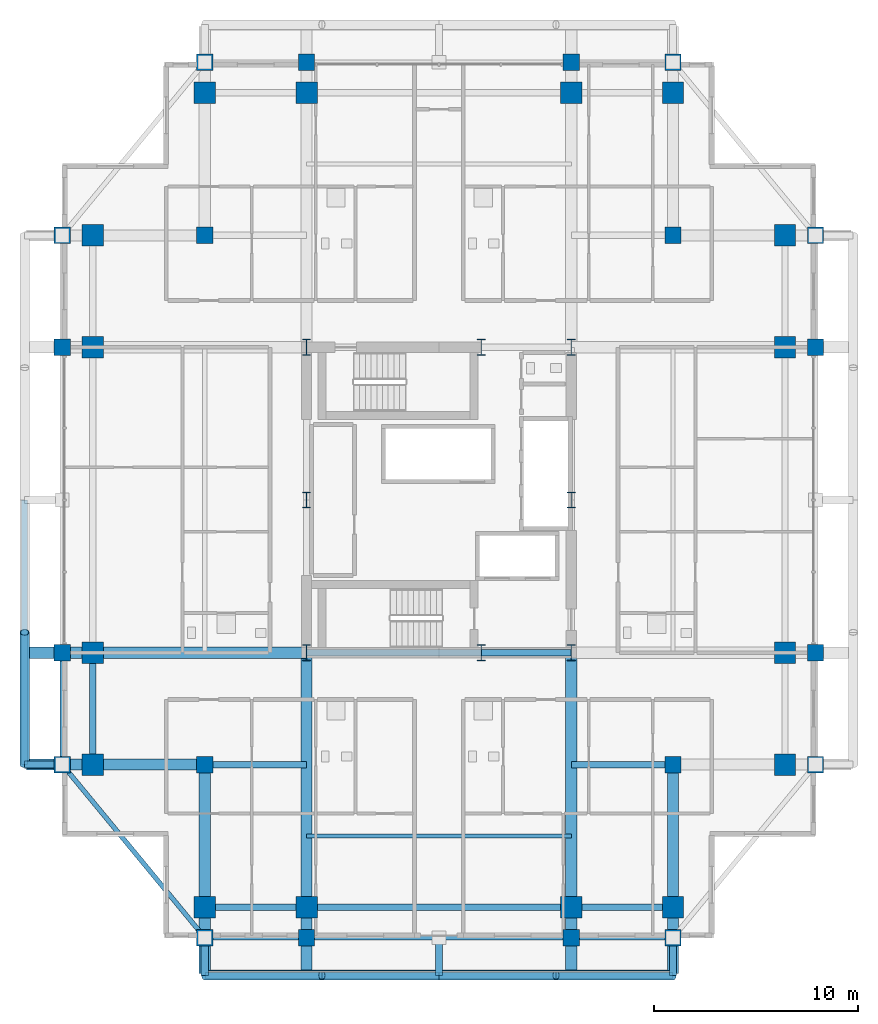
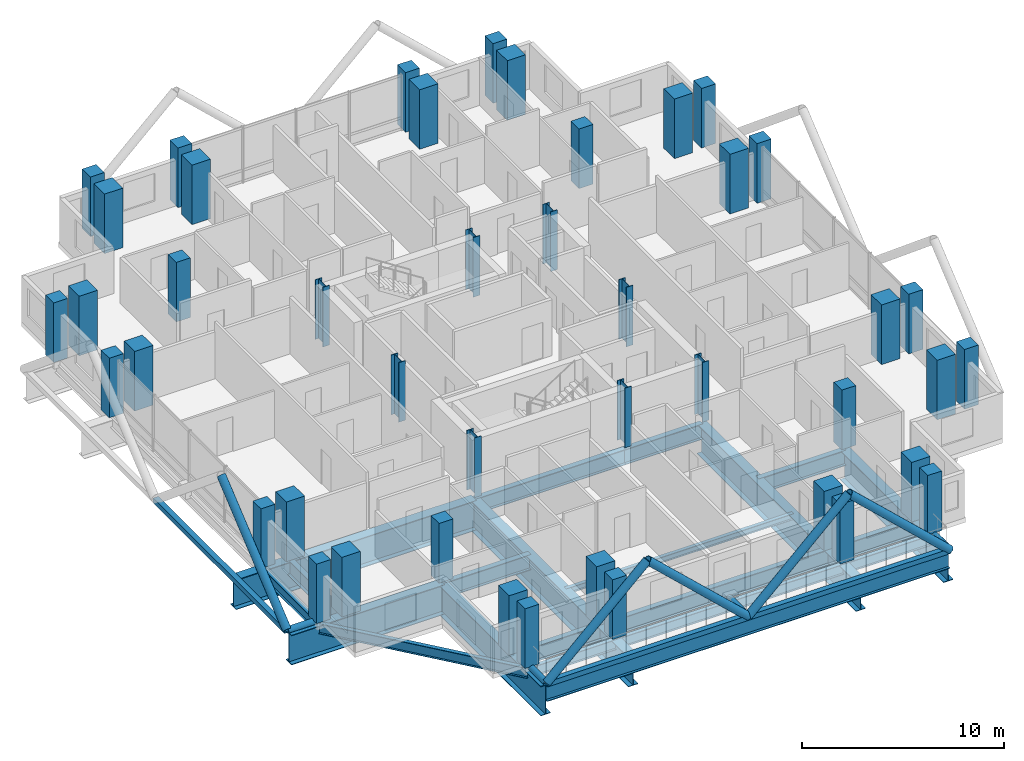
# One storey, part 1 of 23: 44 columns, 21 beams, 12 members.
"""IFC4 building model written with IfcOpenShell, lengths in metres."""

from ifc_helpers import new_model, si_unit, direction, frame, origin, origin_2d, place, context, subcontext, project, spatial, rectangle, hollow_rectangle, hollow_circle, i_section, extrude, material, material_profile, profile_set, type_object, element, save


model = new_model("IFC4")

# Units and contexts
model_context = context("Model", 3, precision=1e-05, world=origin(), true_north=direction((0.0, 1.0)))
body_context = subcontext(model_context, "Body", "Model", "MODEL_VIEW")
ifc_project = project(units=[si_unit("LENGTHUNIT", "METRE"), si_unit("AREAUNIT", "SQUARE_METRE"), si_unit("VOLUMEUNIT", "CUBIC_METRE"), si_unit("PLANEANGLEUNIT", "RADIAN"), si_unit("MASSUNIT", "GRAM", prefix="KILO")], contexts=[model_context])

# Site, building, storey
site_placement = place(None, origin())
site = spatial("IfcSite", under=ifc_project, at=site_placement, CompositionType="ELEMENT")
building_placement = place(site_placement, origin())
building = spatial("IfcBuilding", under=site, at=building_placement, Name="Barlavira Tower and Art Museum", CompositionType="ELEMENT")
storey_placement = place(building_placement, frame((0.0, 0.0, 165.60009765625)))
storey = spatial("IfcBuildingStorey", under=building, at=storey_placement, Name="L42", CompositionType="ELEMENT", Elevation=165.60009765625)

# Columns
ifc_material_1 = material(Name="Steel S355", Category="steel")
ifc_material_profile_1 = material_profile(ifc_material_1, i_section(OverallWidth=0.382080078125, OverallDepth=0.785888671875, WebThickness=0.02001953125, FlangeThickness=0.032958984375, at=origin_2d()), Name="W760x314.0")
ifc_profile_set_1 = profile_set([ifc_material_profile_1], Name="Steel S355")
column_type_1 = type_object("IfcColumnType", Name="Core Composite Column W760x314 Steel S355", PredefinedType="COLUMN", material=ifc_profile_set_1)
for number, where, z_axis, x_axis, name in (
    (1, (-6.5, -7.5, 0.0), (0.0, 0.0, 1.0), (1.0, 0.0, 0.0), "L42 Column CC-L42-C1"),
    (2, (2.080078125, -7.5, 0.0), (0.0, 0.0, 1.0), (1.0, 0.0, 0.0), "L42 Column CC-L42-C2"),
    (3, (6.5, -7.5, 0.0), (0.0, 0.0, 1.0), (1.0, 0.0, 0.0), "L42 Column CC-L42-C3"),
    (4, (-6.5, 0.0, 0.0), (0.0, 0.0, 1.0), (1.0, 0.0, 0.0), "L42 Column CC-L42-C4"),
    (5, (6.5, 0.0, 0.0), (0.0, 0.0, 1.0), (1.0, 0.0, 0.0), "L42 Column CC-L42-C5"),
    (6, (-6.5, 7.5, 0.0), (0.0, 0.0, 1.0), (1.0, 0.0, 0.0), "L42 Column CC-L42-C6"),
    (7, (2.080078125, 7.5, 0.0), (0.0, 0.0, 1.0), (1.0, 0.0, 0.0), "L42 Column CC-L42-C7"),
    (8, (6.5, 7.5, 0.0), (0.0, 0.0, 1.0), (1.0, 0.0, 0.0), "L42 Column CC-L42-C8"),
):
    element("IfcColumn", number, at=place(storey_placement, frame(where, z_axis=z_axis, x_axis=x_axis)), inside=storey, type_object=column_type_1, Name=name, PredefinedType="COLUMN", context=body_context, shape_type="SweptSolid", body=[
        extrude(i_section(OverallWidth=0.382080078125, OverallDepth=0.785888671875, WebThickness=0.02001953125, FlangeThickness=0.032958984375, at=origin_2d()), origin(), (0.0, 0.0, 1.0), 3.599853515625),
    ])
ifc_material_2 = material(Name="Concrete C55", Category="concrete")
ifc_material_profile_2 = material_profile(ifc_material_2, rectangle(XDim=1.050048828125, YDim=1.050048828125, at=origin_2d()), Name="RC-COL 1050x1050")
ifc_profile_set_2 = profile_set([ifc_material_profile_2], Name="Concrete C55")
column_type_2 = type_object("IfcColumnType", Name="Perimeter Mega Column 1050x1050 Concrete C55", PredefinedType="USERDEFINED", material=ifc_profile_set_2)
for number, where, z_axis, x_axis, name in (
    (9, (-11.5, -20.0, 0.0), (0.0, 0.0, 1.0), (1.0, 0.0, 0.0), "L42 Column MC-L42-M01"),
    (10, (-6.5, -20.0, 0.0), (0.0, 0.0, 1.0), (1.0, 0.0, 0.0), "L42 Column MC-L42-M02"),
    (11, (6.5, -20.0, 0.0), (0.0, 0.0, 1.0), (1.0, 0.0, 0.0), "L42 Column MC-L42-M03"),
    (12, (11.5, -20.0, 0.0), (0.0, 0.0, 1.0), (1.0, 0.0, 0.0), "L42 Column MC-L42-M04"),
    (13, (17.0, -13.0, 0.0), (0.0, 0.0, 1.0), (1.0, 0.0, 0.0), "L42 Column MC-L42-M05"),
    (14, (17.0, -7.5, 0.0), (0.0, 0.0, 1.0), (1.0, 0.0, 0.0), "L42 Column MC-L42-M06"),
    (15, (17.0, 7.5, 0.0), (0.0, 0.0, 1.0), (1.0, 0.0, 0.0), "L42 Column MC-L42-M07"),
    (16, (17.0, 13.0, 0.0), (0.0, 0.0, 1.0), (1.0, 0.0, 0.0), "L42 Column MC-L42-M08"),
    (17, (11.5, 20.0, 0.0), (0.0, 0.0, 1.0), (1.0, 0.0, 0.0), "L42 Column MC-L42-M09"),
    (18, (6.5, 20.0, 0.0), (0.0, 0.0, 1.0), (1.0, 0.0, 0.0), "L42 Column MC-L42-M10"),
    (19, (-6.5, 20.0, 0.0), (0.0, 0.0, 1.0), (1.0, 0.0, 0.0), "L42 Column MC-L42-M11"),
    (20, (-11.5, 20.0, 0.0), (0.0, 0.0, 1.0), (1.0, 0.0, 0.0), "L42 Column MC-L42-M12"),
    (21, (-17.0, 13.0, 0.0), (0.0, 0.0, 1.0), (1.0, 0.0, 0.0), "L42 Column MC-L42-M13"),
    (22, (-17.0, 7.5, 0.0), (0.0, 0.0, 1.0), (1.0, 0.0, 0.0), "L42 Column MC-L42-M14"),
    (23, (-17.0, -7.5, 0.0), (0.0, 0.0, 1.0), (1.0, 0.0, 0.0), "L42 Column MC-L42-M15"),
    (24, (-17.0, -13.0, 0.0), (0.0, 0.0, 1.0), (1.0, 0.0, 0.0), "L42 Column MC-L42-M16"),
):
    element("IfcColumn", number, at=place(storey_placement, frame(where, z_axis=z_axis, x_axis=x_axis)), inside=storey, type_object=column_type_2, Name=name, ObjectType="MEGA COLUMN", PredefinedType="USERDEFINED", context=body_context, shape_type="SweptSolid", body=[
        extrude(rectangle(XDim=1.050048828125, YDim=1.050048828125, at=origin_2d()), origin(), (0.0, 0.0, 1.0), 3.599853515625),
    ])
ifc_material_3 = material(Name="Concrete C50", Category="concrete")
ifc_material_profile_3 = material_profile(ifc_material_3, rectangle(XDim=0.800048828125, YDim=0.800048828125, at=origin_2d()), Name="RC-COL 800x800")
ifc_profile_set_3 = profile_set([ifc_material_profile_3], Name="Concrete C50")
column_type_3 = type_object("IfcColumnType", Name="Podium Frame Column 800x800 Concrete C50", PredefinedType="COLUMN", material=ifc_profile_set_3)
for number, where, z_axis, x_axis, name in (
    (25, (-11.5, -13.0, 0.0), (0.0, 0.0, 1.0), (1.0, 0.0, 0.0), "L42 Column CI-L42-I1"),
    (26, (11.5, -13.0, 0.0), (0.0, 0.0, 1.0), (1.0, 0.0, 0.0), "L42 Column CI-L42-I2"),
    (27, (-11.5, 13.0, 0.0), (0.0, 0.0, 1.0), (1.0, 0.0, 0.0), "L42 Column CI-L42-I3"),
    (28, (11.5, 13.0, 0.0), (0.0, 0.0, 1.0), (1.0, 0.0, 0.0), "L42 Column CI-L42-I4"),
    (29, (-11.5, -21.5, 0.0), (0.0, 0.0, 1.0), (1.0, 0.0, 0.0), "L42 Column CZ3-L42-N01"),
    (30, (-6.5, -21.5, 0.0), (0.0, 0.0, 1.0), (1.0, 0.0, 0.0), "L42 Column CZ3-L42-N02"),
    (31, (6.5, -21.5, 0.0), (0.0, 0.0, 1.0), (1.0, 0.0, 0.0), "L42 Column CZ3-L42-N02B"),
    (32, (11.5, -21.5, 0.0), (0.0, 0.0, 1.0), (1.0, 0.0, 0.0), "L42 Column CZ3-L42-N03"),
    (33, (-18.5, -13.0, 0.0), (0.0, 0.0, 1.0), (1.0, 0.0, 0.0), "L42 Column CZ3-L42-N04"),
    (34, (-18.5, -7.5, 0.0), (0.0, 0.0, 1.0), (1.0, 0.0, 0.0), "L42 Column CZ3-L42-N05"),
    (35, (-18.5, 7.5, 0.0), (0.0, 0.0, 1.0), (1.0, 0.0, 0.0), "L42 Column CZ3-L42-N05B"),
    (36, (-18.5, 13.0, 0.0), (0.0, 0.0, 1.0), (1.0, 0.0, 0.0), "L42 Column CZ3-L42-N06"),
    (37, (-11.5, 21.5, 0.0), (0.0, 0.0, 1.0), (1.0, 0.0, 0.0), "L42 Column CZ3-L42-N07"),
    (38, (-6.5, 21.5, 0.0), (0.0, 0.0, 1.0), (1.0, 0.0, 0.0), "L42 Column CZ3-L42-N08"),
    (39, (6.5, 21.5, 0.0), (0.0, 0.0, 1.0), (1.0, 0.0, 0.0), "L42 Column CZ3-L42-N08B"),
    (40, (11.5, 21.5, 0.0), (0.0, 0.0, 1.0), (1.0, 0.0, 0.0), "L42 Column CZ3-L42-N09"),
    (41, (18.5, -13.0, 0.0), (0.0, 0.0, 1.0), (1.0, 0.0, 0.0), "L42 Column CZ3-L42-N10"),
    (42, (18.5, -7.5, 0.0), (0.0, 0.0, 1.0), (1.0, 0.0, 0.0), "L42 Column CZ3-L42-N11"),
    (43, (18.5, 7.5, 0.0), (0.0, 0.0, 1.0), (1.0, 0.0, 0.0), "L42 Column CZ3-L42-N11B"),
    (44, (18.5, 13.0, 0.0), (0.0, 0.0, 1.0), (1.0, 0.0, 0.0), "L42 Column CZ3-L42-N12"),
):
    element("IfcColumn", number, at=place(storey_placement, frame(where, z_axis=z_axis, x_axis=x_axis)), inside=storey, type_object=column_type_3, Name=name, PredefinedType="COLUMN", context=body_context, shape_type="SweptSolid", body=[
        extrude(rectangle(XDim=0.800048828125, YDim=0.800048828125, at=origin_2d()), origin(), (0.0, 0.0, 1.0), 3.599853515625),
    ])

# Members
ifc_material_profile_4 = material_profile(ifc_material_1, hollow_circle(Radius=0.228515625, WallThickness=0.02001953125, at=origin_2d()), Name="CHS 457.0x20.0")
ifc_profile_set_4 = profile_set([ifc_material_profile_4], Name="Steel S355")
member_type_1 = type_object("IfcMemberType", Name="Pale-Metal Exoskeleton Diagrid Tube CHS 457x20 Steel S355", PredefinedType="BRACE", material=ifc_profile_set_4)
for number, where, z_axis, x_axis, name in (
    (45, (-11.5, -23.35009765625, -0.1201171875), (0.728950095515, 0.0, 0.684566839869), (0.0, 1.0, 0.0), "L42 Exoskeleton Diagrid Tube S"),
    (46, (0.0, -23.35009765625, -0.1201171875), (-0.728950095515, 0.0, 0.684566839869), (0.0, -1.0, 0.0), "L42 Exoskeleton Diagrid Tube S"),
    (47, (0.0, -23.35009765625, -0.1201171875), (0.728950095515, 0.0, 0.684566839869), (0.0, 1.0, 0.0), "L42 Exoskeleton Diagrid Tube S"),
    (48, (11.5, -23.35009765625, -0.1201171875), (-0.728950095515, 0.0, 0.684566839869), (0.0, -1.0, 0.0), "L42 Exoskeleton Diagrid Tube S"),
):
    element("IfcMember", number, at=place(storey_placement, frame(where, z_axis=z_axis, x_axis=x_axis)), inside=storey, type_object=member_type_1, Name=name, PredefinedType="BRACE", context=body_context, shape_type="SweptSolid", body=[
        extrude(hollow_circle(Radius=0.228515625, WallThickness=0.02001953125, at=origin_2d()), origin(), (0.0, 0.0, 1.0), 7.887939453125),
    ])
member_1_placement = place(storey_placement, frame((-20.35009765625, -13.0, -0.1201171875), z_axis=(0.0, 0.769196053329, 0.639012857104), x_axis=(-1.0, 0.0, 0.0)))
element("IfcMember", 49, at=member_1_placement, inside=storey, type_object=member_type_1, Name="L42 Exoskeleton Diagrid Tube W", PredefinedType="BRACE", context=body_context, shape_type="SweptSolid", body=[
    extrude(hollow_circle(Radius=0.228515625, WallThickness=0.02001953125, at=origin_2d()), origin(), (0.0, 0.0, 1.0), 8.450439453125),
])
ifc_material_profile_5 = material_profile(ifc_material_1, hollow_circle(Radius=0.177734375, WallThickness=0.01611328125, at=origin_2d()), Name="CHS 355.6x16.0")
ifc_profile_set_5 = profile_set([ifc_material_profile_5], Name="Steel S355")
member_type_2 = type_object("IfcMemberType", Name="Pale-Metal Exoskeleton Tie Strut CHS 356x16 Steel S355", PredefinedType="STRUT", material=ifc_profile_set_5)
for number, where, z_axis, x_axis, name in (
    (50, (-11.5, -23.35009765625, -0.1201171875), (0.0, 1.0, 0.0), (-1.0, 0.0, 0.0), "L42 Exoskeleton Tie Strut S1"),
    (51, (0.0, -23.35009765625, -0.1201171875), (0.0, 1.0, 0.0), (-1.0, 0.0, 0.0), "L42 Exoskeleton Tie Strut S2"),
    (52, (11.5, -23.35009765625, -0.1201171875), (0.0, 1.0, 0.0), (-1.0, 0.0, 0.0), "L42 Exoskeleton Tie Strut S3"),
    (53, (-20.35009765625, -13.0, -0.1201171875), (1.0, 0.0, 0.0), (0.0, 1.0, 0.0), "L42 Exoskeleton Tie Strut W1"),
):
    element("IfcMember", number, at=place(storey_placement, frame(where, z_axis=z_axis, x_axis=x_axis)), inside=storey, type_object=member_type_2, Name=name, PredefinedType="STRUT", context=body_context, shape_type="SweptSolid", body=[
        extrude(hollow_circle(Radius=0.177734375, WallThickness=0.01611328125, at=origin_2d()), origin(), (0.0, 0.0, 1.0), 1.85009765625),
    ])
ifc_material_profile_6 = material_profile(ifc_material_1, hollow_rectangle(XDim=0.300048828125, YDim=0.300048828125, WallThickness=0.01611328125, at=origin_2d()), Name="SHS 300x300x16.0")
ifc_profile_set_6 = profile_set([ifc_material_profile_6], Name="Steel S355")
member_type_3 = type_object("IfcMemberType", Name="Pale-Metal Upper Ring Strut SHS 300x300x16 Steel S355", PredefinedType="STRUT", material=ifc_profile_set_6)
for number, where, z_axis, x_axis, name in (
    (54, (-11.5, -23.35009765625, -0.1201171875), (1.0, 0.0, 0.0), (0.0, 1.0, 0.0), "L42 Exoskeleton Ring Strut S"),
    (55, (0.0, -23.35009765625, -0.1201171875), (1.0, 0.0, 0.0), (0.0, 1.0, 0.0), "L42 Exoskeleton Ring Strut S"),
):
    element("IfcMember", number, at=place(storey_placement, frame(where, z_axis=z_axis, x_axis=x_axis)), inside=storey, type_object=member_type_3, Name=name, PredefinedType="STRUT", context=body_context, shape_type="SweptSolid", body=[
        extrude(hollow_rectangle(XDim=0.300048828125, YDim=0.300048828125, WallThickness=0.01611328125, at=origin_2d()), origin(), (0.0, 0.0, 1.0), 11.5),
    ])
member_2_placement = place(storey_placement, frame((-20.35009765625, -13.0, -0.1201171875), z_axis=(0.0, 1.0, 0.0), x_axis=(-1.0, 0.0, 0.0)))
element("IfcMember", 56, at=member_2_placement, inside=storey, type_object=member_type_3, Name="L42 Exoskeleton Ring Strut W", PredefinedType="STRUT", context=body_context, shape_type="SweptSolid", body=[
    extrude(hollow_rectangle(XDim=0.300048828125, YDim=0.300048828125, WallThickness=0.01611328125, at=origin_2d()), origin(), (0.0, 0.0, 1.0), 13.0),
])

# Beams
ifc_material_profile_7 = material_profile(ifc_material_1, i_section(OverallWidth=0.30908203125, OverallDepth=0.931884765625, WebThickness=0.01953125, FlangeThickness=0.034423828125, at=origin_2d()), Name="W920x313.0")
ifc_profile_set_7 = profile_set([ifc_material_profile_7], Name="Steel S355")
beam_type_1 = type_object("IfcBeamType", Name="Setback Ring Girder W920x313 Steel S355", PredefinedType="BEAM", material=ifc_profile_set_7)
beam_1_placement = place(storey_placement, frame((-6.5, -7.5, -0.76611328125), z_axis=(1.0, 0.0, 0.0), x_axis=(0.0, 1.0, 0.0)))
element("IfcBeam", 57, at=beam_1_placement, inside=storey, type_object=beam_type_1, Name="L42 Girder C-S1", PredefinedType="BEAM", context=body_context, shape_type="SweptSolid", body=[
    extrude(i_section(OverallWidth=0.30908203125, OverallDepth=0.931884765625, WebThickness=0.01953125, FlangeThickness=0.034423828125, at=origin_2d()), origin(), (0.0, 0.0, 1.0), 8.580078125),
])
beam_2_placement = place(storey_placement, frame((2.080078125, -7.5, -0.76611328125), z_axis=(1.0, 0.0, 0.0), x_axis=(0.0, 1.0, 0.0)))
element("IfcBeam", 58, at=beam_2_placement, inside=storey, type_object=beam_type_1, Name="L42 Girder C-S2", PredefinedType="BEAM", context=body_context, shape_type="SweptSolid", body=[
    extrude(i_section(OverallWidth=0.30908203125, OverallDepth=0.931884765625, WebThickness=0.01953125, FlangeThickness=0.034423828125, at=origin_2d()), origin(), (0.0, 0.0, 1.0), 4.419921875),
])
beam_3_placement = place(storey_placement, frame((-11.5, -20.0, -0.76611328125), z_axis=(1.0, 0.0, 0.0), x_axis=(0.0, 1.0, 0.0)))
element("IfcBeam", 59, at=beam_3_placement, inside=storey, type_object=beam_type_1, Name="L42 Girder M-S1", PredefinedType="BEAM", context=body_context, shape_type="SweptSolid", body=[
    extrude(i_section(OverallWidth=0.30908203125, OverallDepth=0.931884765625, WebThickness=0.01953125, FlangeThickness=0.034423828125, at=origin_2d()), origin(), (0.0, 0.0, 1.0), 5.0),
])
beam_4_placement = place(storey_placement, frame((-6.5, -20.0, -0.76611328125), z_axis=(1.0, 0.0, 0.0), x_axis=(0.0, 1.0, 0.0)))
element("IfcBeam", 60, at=beam_4_placement, inside=storey, type_object=beam_type_1, Name="L42 Girder M-S2", PredefinedType="BEAM", context=body_context, shape_type="SweptSolid", body=[
    extrude(i_section(OverallWidth=0.30908203125, OverallDepth=0.931884765625, WebThickness=0.01953125, FlangeThickness=0.034423828125, at=origin_2d()), origin(), (0.0, 0.0, 1.0), 13.0),
])
beam_5_placement = place(storey_placement, frame((6.5, -20.0, -0.76611328125), z_axis=(1.0, 0.0, 0.0), x_axis=(0.0, 1.0, 0.0)))
element("IfcBeam", 61, at=beam_5_placement, inside=storey, type_object=beam_type_1, Name="L42 Girder M-S3", PredefinedType="BEAM", context=body_context, shape_type="SweptSolid", body=[
    extrude(i_section(OverallWidth=0.30908203125, OverallDepth=0.931884765625, WebThickness=0.01953125, FlangeThickness=0.034423828125, at=origin_2d()), origin(), (0.0, 0.0, 1.0), 5.0),
])
beam_6_placement = place(storey_placement, frame((-17.0, -13.0, -0.76611328125), z_axis=(0.0, 1.0, 0.0), x_axis=(-1.0, 0.0, 0.0)))
element("IfcBeam", 62, at=beam_6_placement, inside=storey, type_object=beam_type_1, Name="L42 Girder M-W1", PredefinedType="BEAM", context=body_context, shape_type="SweptSolid", body=[
    extrude(i_section(OverallWidth=0.30908203125, OverallDepth=0.931884765625, WebThickness=0.01953125, FlangeThickness=0.034423828125, at=origin_2d()), origin(), (0.0, 0.0, 1.0), 5.5),
])
for number, where, z_axis, x_axis, name in (
    (63, (-11.5, -13.0, -0.76611328125), (1.0, 0.0, 0.0), (0.0, 1.0, 0.0), "L42 Girder I-S2"),
    (64, (6.5, -13.0, -0.76611328125), (1.0, 0.0, 0.0), (0.0, 1.0, 0.0), "L42 Girder I-S3"),
):
    element("IfcBeam", number, at=place(storey_placement, frame(where, z_axis=z_axis, x_axis=x_axis)), inside=storey, type_object=beam_type_1, Name=name, PredefinedType="BEAM", context=body_context, shape_type="SweptSolid", body=[
        extrude(i_section(OverallWidth=0.30908203125, OverallDepth=0.931884765625, WebThickness=0.01953125, FlangeThickness=0.034423828125, at=origin_2d()), origin(), (0.0, 0.0, 1.0), 5.0),
    ])
beam_7_placement = place(storey_placement, frame((-11.5, -23.25, -0.76611328125), z_axis=(1.0, 0.0, 0.0), x_axis=(0.0, 1.0, 0.0)))
element("IfcBeam", 65, at=beam_7_placement, inside=storey, type_object=beam_type_1, Name="L42 South Setback Terrace Edge Beam", PredefinedType="BEAM", context=body_context, shape_type="SweptSolid", body=[
    extrude(i_section(OverallWidth=0.30908203125, OverallDepth=0.931884765625, WebThickness=0.01953125, FlangeThickness=0.034423828125, at=origin_2d()), origin(), (0.0, 0.0, 1.0), 23.0),
])
ifc_material_profile_8 = material_profile(ifc_material_1, i_section(OverallWidth=0.22998046875, OverallDepth=0.616943359375, WebThickness=0.01318359375, FlangeThickness=0.022216796875, at=origin_2d()), Name="W610x140.0")
ifc_profile_set_8 = profile_set([ifc_material_profile_8], Name="Steel S355")
beam_type_2 = type_object("IfcBeamType", Name="Upper Shaft Spandrel Edge Beam W610x140 Steel S355", PredefinedType="SPANDREL", material=ifc_profile_set_8)
beam_8_placement = place(storey_placement, frame((-11.5, -21.5, -0.608642578125), z_axis=(1.0, 0.0, 0.0), x_axis=(0.0, 1.0, 0.0)))
element("IfcBeam", 66, at=beam_8_placement, inside=storey, type_object=beam_type_2, Name="L42 Spandrel 1", PredefinedType="SPANDREL", context=body_context, shape_type="SweptSolid", body=[
    extrude(i_section(OverallWidth=0.22998046875, OverallDepth=0.616943359375, WebThickness=0.01318359375, FlangeThickness=0.022216796875, at=origin_2d()), origin(), (0.0, 0.0, 1.0), 5.0),
])
beam_9_placement = place(storey_placement, frame((-6.5, -21.5, -0.608642578125), z_axis=(1.0, 0.0, 0.0), x_axis=(0.0, 1.0, 0.0)))
element("IfcBeam", 67, at=beam_9_placement, inside=storey, type_object=beam_type_2, Name="L42 Spandrel 2", PredefinedType="SPANDREL", context=body_context, shape_type="SweptSolid", body=[
    extrude(i_section(OverallWidth=0.22998046875, OverallDepth=0.616943359375, WebThickness=0.01318359375, FlangeThickness=0.022216796875, at=origin_2d()), origin(), (0.0, 0.0, 1.0), 13.0),
])
beam_10_placement = place(storey_placement, frame((6.5, -21.5, -0.608642578125), z_axis=(1.0, 0.0, 0.0), x_axis=(0.0, 1.0, 0.0)))
element("IfcBeam", 68, at=beam_10_placement, inside=storey, type_object=beam_type_2, Name="L42 Spandrel 3", PredefinedType="SPANDREL", context=body_context, shape_type="SweptSolid", body=[
    extrude(i_section(OverallWidth=0.22998046875, OverallDepth=0.616943359375, WebThickness=0.01318359375, FlangeThickness=0.022216796875, at=origin_2d()), origin(), (0.0, 0.0, 1.0), 5.0),
])
beam_11_placement = place(storey_placement, frame((-18.5, -13.0, -0.608642578125), z_axis=(0.0, 1.0, 0.0), x_axis=(-1.0, 0.0, 0.0)))
element("IfcBeam", 69, at=beam_11_placement, inside=storey, type_object=beam_type_2, Name="L42 Spandrel 15", PredefinedType="SPANDREL", context=body_context, shape_type="SweptSolid", body=[
    extrude(i_section(OverallWidth=0.22998046875, OverallDepth=0.616943359375, WebThickness=0.01318359375, FlangeThickness=0.022216796875, at=origin_2d()), origin(), (0.0, 0.0, 1.0), 5.5),
])
beam_12_placement = place(storey_placement, frame((-18.5, -13.0, -0.608642578125), z_axis=(0.635707252861, -0.771930235617, 0.0), x_axis=(0.771930235617, 0.635707252861, 0.0)))
element("IfcBeam", 70, at=beam_12_placement, inside=storey, type_object=beam_type_2, Name="L42 Spandrel 16", PredefinedType="SPANDREL", context=body_context, shape_type="SweptSolid", body=[
    extrude(i_section(OverallWidth=0.22998046875, OverallDepth=0.616943359375, WebThickness=0.01318359375, FlangeThickness=0.022216796875, at=origin_2d()), origin(), (0.0, 0.0, 1.0), 11.011474609375),
])
ifc_material_profile_9 = material_profile(ifc_material_1, i_section(OverallWidth=0.205078125, OverallDepth=0.35400390625, WebThickness=0.009521484375, FlangeThickness=0.016845703125, at=origin_2d()), Name="W360x79.0")
ifc_profile_set_9 = profile_set([ifc_material_profile_9], Name="Steel S355")
beam_type_3 = type_object("IfcBeamType", Name="Zone 3 Composite Floor Joist W360x79 Steel S355", PredefinedType="JOIST", material=ifc_profile_set_9)
beam_13_placement = place(storey_placement, frame((-6.5, -16.5, -0.47705078125), z_axis=(1.0, 0.0, 0.0), x_axis=(0.0, 1.0, 0.0)))
element("IfcBeam", 71, at=beam_13_placement, inside=storey, type_object=beam_type_3, Name="L42 Joist C1", PredefinedType="JOIST", context=body_context, shape_type="SweptSolid", body=[
    extrude(i_section(OverallWidth=0.205078125, OverallDepth=0.35400390625, WebThickness=0.009521484375, FlangeThickness=0.016845703125, at=origin_2d()), origin(), (0.0, 0.0, 1.0), 13.0),
])
ifc_material_profile_10 = material_profile(ifc_material_1, i_section(OverallWidth=0.550048828125, OverallDepth=1.800048828125, WebThickness=0.02587890625, FlangeThickness=0.033935546875, at=origin_2d()), Name="CVS1800x520")
ifc_profile_set_10 = profile_set([ifc_material_profile_10], Name="Steel S355")
beam_type_4 = type_object("IfcBeamType", Name="Zone Setback Transfer Girder CVS1800x520 Steel S355", PredefinedType="USERDEFINED", material=ifc_profile_set_10)
beam_14_placement = place(storey_placement, frame((-11.5, -23.25, -1.2001953125), z_axis=(0.0, 1.0, 0.0), x_axis=(-1.0, 0.0, 0.0)))
element("IfcBeam", 72, at=beam_14_placement, inside=storey, type_object=beam_type_4, Name="L42 Setback Transfer Girder TGL42-01", ObjectType="TRANSFER GIRDER", PredefinedType="USERDEFINED", context=body_context, shape_type="SweptSolid", body=[
    extrude(i_section(OverallWidth=0.550048828125, OverallDepth=1.800048828125, WebThickness=0.02587890625, FlangeThickness=0.033935546875, at=origin_2d()), origin(), (0.0, 0.0, 1.0), 10.25),
])
for number, where, z_axis, x_axis, name in (
    (73, (-6.5, -23.25, -1.2001953125), (0.0, 1.0, 0.0), (-1.0, 0.0, 0.0), "L42 Setback Transfer Girder TGL42-02A"),
    (74, (6.5, -23.25, -1.2001953125), (0.0, 1.0, 0.0), (-1.0, 0.0, 0.0), "L42 Setback Transfer Girder TGL42-02B"),
):
    element("IfcBeam", number, at=place(storey_placement, frame(where, z_axis=z_axis, x_axis=x_axis)), inside=storey, type_object=beam_type_4, Name=name, ObjectType="TRANSFER GIRDER", PredefinedType="USERDEFINED", context=body_context, shape_type="SweptSolid", body=[
        extrude(i_section(OverallWidth=0.550048828125, OverallDepth=1.800048828125, WebThickness=0.02587890625, FlangeThickness=0.033935546875, at=origin_2d()), origin(), (0.0, 0.0, 1.0), 15.75),
    ])
beam_15_placement = place(storey_placement, frame((11.5, -23.25, -1.2001953125), z_axis=(0.0, 1.0, 0.0), x_axis=(-1.0, 0.0, 0.0)))
element("IfcBeam", 75, at=beam_15_placement, inside=storey, type_object=beam_type_4, Name="L42 Setback Transfer Girder TGL42-03", ObjectType="TRANSFER GIRDER", PredefinedType="USERDEFINED", context=body_context, shape_type="SweptSolid", body=[
    extrude(i_section(OverallWidth=0.550048828125, OverallDepth=1.800048828125, WebThickness=0.02587890625, FlangeThickness=0.033935546875, at=origin_2d()), origin(), (0.0, 0.0, 1.0), 10.25),
])
beam_16_placement = place(storey_placement, frame((-20.25, -13.0, -1.2001953125), z_axis=(1.0, 0.0, 0.0), x_axis=(0.0, 1.0, 0.0)))
element("IfcBeam", 76, at=beam_16_placement, inside=storey, type_object=beam_type_4, Name="L42 Setback Transfer Girder TGL42-07", ObjectType="TRANSFER GIRDER", PredefinedType="USERDEFINED", context=body_context, shape_type="SweptSolid", body=[
    extrude(i_section(OverallWidth=0.550048828125, OverallDepth=1.800048828125, WebThickness=0.02587890625, FlangeThickness=0.033935546875, at=origin_2d()), origin(), (0.0, 0.0, 1.0), 8.75),
])
beam_17_placement = place(storey_placement, frame((-20.25, -7.5, -1.2001953125), z_axis=(1.0, 0.0, 0.0), x_axis=(0.0, 1.0, 0.0)))
element("IfcBeam", 77, at=beam_17_placement, inside=storey, type_object=beam_type_4, Name="L42 Setback Transfer Girder TGL42-08A", ObjectType="TRANSFER GIRDER", PredefinedType="USERDEFINED", context=body_context, shape_type="SweptSolid", body=[
    extrude(i_section(OverallWidth=0.550048828125, OverallDepth=1.800048828125, WebThickness=0.02587890625, FlangeThickness=0.033935546875, at=origin_2d()), origin(), (0.0, 0.0, 1.0), 13.75),
])

save(model, "model.ifc")
